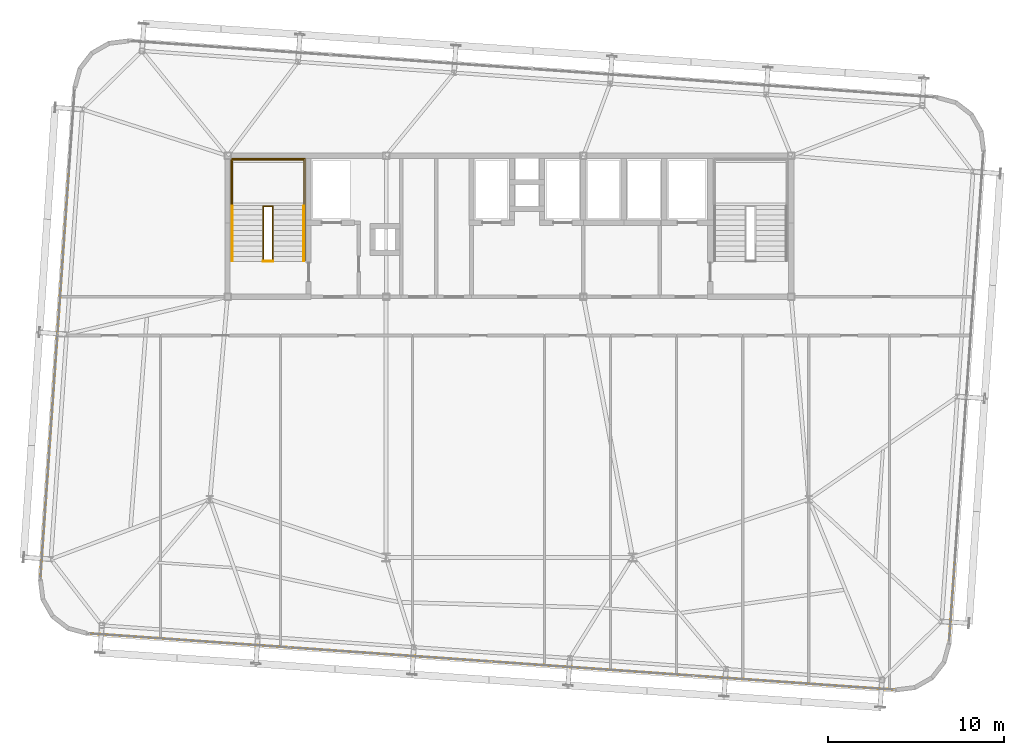
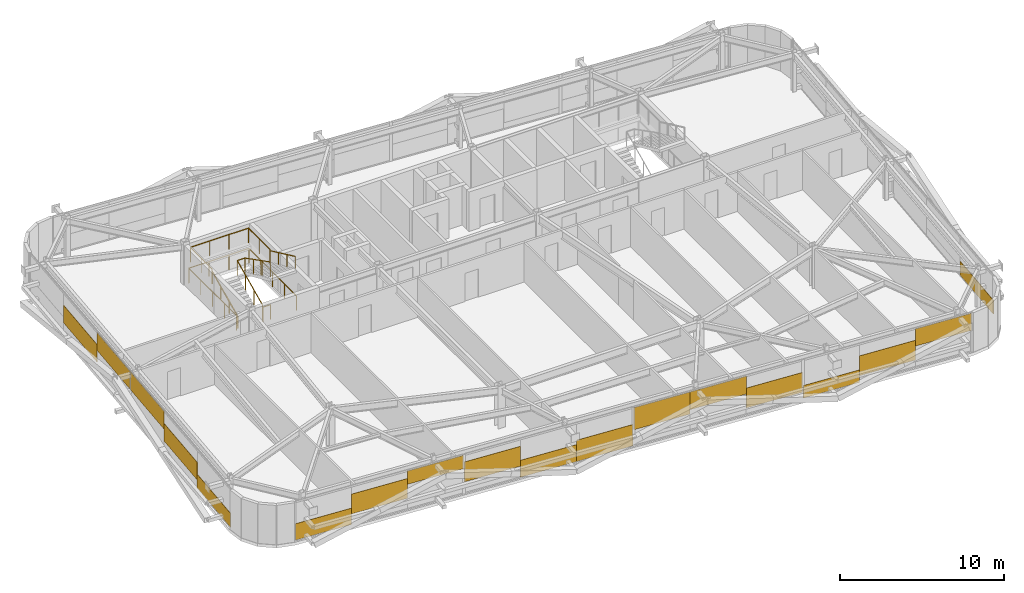
# One storey, part 38 of 39: 18 coverings, 6 railings.
"""IFC4 building model written with IfcOpenShell, lengths in metres."""

from ifc_helpers import new_model, si_unit, direction, frame, origin, origin_2d, place, context, subcontext, project, spatial, rectangle, extrude, source, transform, mapped, material, layer, layer_set, type_object, element, save


model = new_model("IFC4")

# Units and contexts
model_context = context("Model", 3, precision=1e-05, world=origin(), true_north=direction((0.0, 1.0)))
body_context = subcontext(model_context, "Body", "Model", "MODEL_VIEW")
ifc_project = project(units=[si_unit("LENGTHUNIT", "METRE"), si_unit("AREAUNIT", "SQUARE_METRE"), si_unit("VOLUMEUNIT", "CUBIC_METRE"), si_unit("PLANEANGLEUNIT", "RADIAN"), si_unit("MASSUNIT", "GRAM", prefix="KILO")], contexts=[model_context])

# Site, building, storey
site_placement = place(None, origin())
site = spatial("IfcSite", under=ifc_project, at=site_placement, CompositionType="ELEMENT")
building_placement = place(site_placement, origin())
building = spatial("IfcBuilding", under=site, at=building_placement, Name="Taldren Reach Tower", CompositionType="ELEMENT")
storey_placement = place(building_placement, frame((0.0, 0.0, 133.0)))
storey = spatial("IfcBuildingStorey", under=building, at=storey_placement, Name="L40", CompositionType="ELEMENT", Elevation=133.0)

# Railings
ifc_material_1 = material(Name="Steel Gr 350 (C350L0)", Category="steel")
ifc_layer_1 = layer(ifc_material_1, 0.050048828125)
ifc_layer_set_1 = layer_set([ifc_layer_1], Name="Steel Gr 350 (C350L0)")
railing_type_1 = type_object("IfcRailingType", Name="RL-STAIR-GR", PredefinedType="GUARDRAIL", material=ifc_layer_set_1)
railing_1_placement = place(storey_placement, frame((19.260009765625, 29.135009765625, 1.574951171875)))
element("IfcRailing", 1, at=railing_1_placement, inside=storey, type_object=railing_type_1, Name="Stair half-landing perimeter guard ST1-L40", PredefinedType="GUARDRAIL", context=body_context, shape_type="SweptSolid", body=[
    extrude(rectangle(XDim=0.047852, YDim=0.047852, at=origin_2d()), frame((0.0, 0.0, 1.09619140625), z_axis=(0.0, 1.0, 0.0), x_axis=(-1.0, 0.0, 0.0)), (0.0, 0.0, 1.0), 2.64501953125),
    extrude(rectangle(XDim=0.047852, YDim=0.047852, at=origin_2d()), frame((0.0, 2.64501953125, 1.09619140625), z_axis=(1.0, 0.0, 0.0), x_axis=(0.0, 1.0, 0.0)), (0.0, 0.0, 1.0), 4.080078125),
    extrude(rectangle(XDim=0.047852, YDim=0.047852, at=origin_2d()), frame((4.080078125, 2.64501953125, 1.09619140625), z_axis=(0.0, -1.0, 0.0), x_axis=(1.0, 0.0, 0.0)), (0.0, 0.0, 1.0), 2.64501953125),
    extrude(rectangle(XDim=0.041992, YDim=0.041992, at=origin_2d()), origin(), (0.0, 0.0, 1.0), 1.072021484375),
    extrude(rectangle(XDim=0.041992, YDim=0.041992, at=origin_2d()), frame((0.0, 1.322509765625, 0.0)), (0.0, 0.0, 1.0), 1.072021484375),
    extrude(rectangle(XDim=0.041992, YDim=0.041992, at=origin_2d()), frame((0.0, 2.64501953125, 0.0)), (0.0, 0.0, 1.0), 1.072021484375),
    extrude(rectangle(XDim=0.041992, YDim=0.041992, at=origin_2d()), frame((1.360107421875, 2.64501953125, 0.0)), (0.0, 0.0, 1.0), 1.072021484375),
    extrude(rectangle(XDim=0.041992, YDim=0.041992, at=origin_2d()), frame((2.719970703125, 2.64501953125, 0.0)), (0.0, 0.0, 1.0), 1.072021484375),
    extrude(rectangle(XDim=0.041992, YDim=0.041992, at=origin_2d()), frame((4.080078125, 2.64501953125, 0.0)), (0.0, 0.0, 1.0), 1.072021484375),
    extrude(rectangle(XDim=0.041992, YDim=0.041992, at=origin_2d()), frame((4.080078125, 1.322509765625, 0.0)), (0.0, 0.0, 1.0), 1.072021484375),
    extrude(rectangle(XDim=0.041992, YDim=0.041992, at=origin_2d()), frame((4.080078125, 0.0, 0.0)), (0.0, 0.0, 1.0), 1.072021484375),
])
railing_2_placement = place(storey_placement, frame((21.030029296875, 26.050048828125, 0.131103515625)))
element("IfcRailing", 2, at=railing_2_placement, inside=storey, type_object=railing_type_1, Name="Stairwell inner guard ST1-L40", PredefinedType="GUARDRAIL", context=body_context, shape_type="SweptSolid", body=[
    extrude(rectangle(XDim=0.047852, YDim=0.047852, at=origin_2d()), frame((0.0, 0.0, 1.09619140625), z_axis=(0.0, 0.905710134349, 0.423897573167), x_axis=(-1.0, 0.0, 0.0)), (0.0, 0.0, 1.0), 3.406005859375),
    extrude(rectangle(XDim=0.047852, YDim=0.047852, at=origin_2d()), frame((0.0, 3.0849609375, 2.5400390625), z_axis=(1.0, 0.0, 0.0), x_axis=(0.0, 1.0, 0.0)), (0.0, 0.0, 1.0), 0.5400390625),
    extrude(rectangle(XDim=0.047852, YDim=0.047852, at=origin_2d()), frame((0.5400390625, 3.0849609375, 2.5400390625), z_axis=(0.0, -0.890645957773, 0.45469745755), x_axis=(1.0, 0.0, 0.0)), (0.0, 0.0, 1.0), 3.463623046875),
    extrude(rectangle(XDim=0.041992, YDim=0.041992, at=origin_2d()), origin(), (0.0, 0.0, 1.0), 1.072021484375),
    extrude(rectangle(XDim=0.041992, YDim=0.041992, at=origin_2d()), frame((0.0, 1.0283203125, 0.481201171875)), (0.0, 0.0, 1.0), 1.072021484375),
    extrude(rectangle(XDim=0.041992, YDim=0.041992, at=origin_2d()), frame((0.0, 2.056640625, 0.962646484375)), (0.0, 0.0, 1.0), 1.072021484375),
    extrude(rectangle(XDim=0.041992, YDim=0.041992, at=origin_2d()), frame((0.0, 3.0849609375, 1.44384765625)), (0.0, 0.0, 1.0), 1.072021484375),
    extrude(rectangle(XDim=0.041992, YDim=0.041992, at=origin_2d()), frame((0.5400390625, 3.0849609375, 1.44384765625)), (0.0, 0.0, 1.0), 1.072021484375),
    extrude(rectangle(XDim=0.041992, YDim=0.041992, at=origin_2d()), frame((0.5400390625, 2.056640625, 1.96875)), (0.0, 0.0, 1.0), 1.072021484375),
    extrude(rectangle(XDim=0.041992, YDim=0.041992, at=origin_2d()), frame((0.5400390625, 1.0283203125, 2.493896484375)), (0.0, 0.0, 1.0), 1.072021484375),
    extrude(rectangle(XDim=0.041992, YDim=0.041992, at=origin_2d()), frame((0.5400390625, 0.0, 3.018798828125)), (0.0, 0.0, 1.0), 1.072021484375),
])
railing_3_placement = place(storey_placement, frame((21.030029296875, 26.010009765625, 0.0)))
element("IfcRailing", 3, at=railing_3_placement, inside=storey, type_object=railing_type_1, Name="Stairwell landing slot guard ST1-L40", PredefinedType="GUARDRAIL", context=body_context, shape_type="SweptSolid", body=[
    extrude(rectangle(XDim=0.047852, YDim=0.047852, at=origin_2d()), frame((0.0, 0.0, 1.09619140625), z_axis=(1.0, 0.0, 0.0), x_axis=(0.0, 1.0, 0.0)), (0.0, 0.0, 1.0), 0.5400390625),
    extrude(rectangle(XDim=0.041992, YDim=0.041992, at=origin_2d()), origin(), (0.0, 0.0, 1.0), 1.072021484375),
    extrude(rectangle(XDim=0.041992, YDim=0.041992, at=origin_2d()), frame((0.5400390625, 0.0, 0.0)), (0.0, 0.0, 1.0), 1.072021484375),
])
railing_4_placement = place(storey_placement, frame((19.18994140625, 26.050048828125, 0.0)))
element("IfcRailing", 4, at=railing_4_placement, inside=storey, type_object=railing_type_1, Name="Stairwell floor opening guard ST1-L40", PredefinedType="GUARDRAIL", context=body_context, shape_type="SweptSolid", body=[
    extrude(rectangle(XDim=0.047852, YDim=0.047852, at=origin_2d()), frame((0.0, 0.0, 1.09619140625), z_axis=(0.0, 1.0, 0.0), x_axis=(-1.0, 0.0, 0.0)), (0.0, 0.0, 1.0), 5.800048828125),
    extrude(rectangle(XDim=0.047852, YDim=0.047852, at=origin_2d()), frame((0.0, 5.800048828125, 1.09619140625), z_axis=(1.0, 0.0, 0.0), x_axis=(0.0, 1.0, 0.0)), (0.0, 0.0, 1.0), 4.219970703125),
    extrude(rectangle(XDim=0.047852, YDim=0.047852, at=origin_2d()), frame((4.219970703125, 5.800048828125, 1.09619140625), z_axis=(0.0, -1.0, 0.0), x_axis=(1.0, 0.0, 0.0)), (0.0, 0.0, 1.0), 5.800048828125),
    extrude(rectangle(XDim=0.041992, YDim=0.041992, at=origin_2d()), origin(), (0.0, 0.0, 1.0), 1.072021484375),
    extrude(rectangle(XDim=0.041992, YDim=0.041992, at=origin_2d()), frame((0.0, 1.449951171875, 0.0)), (0.0, 0.0, 1.0), 1.072021484375),
    extrude(rectangle(XDim=0.041992, YDim=0.041992, at=origin_2d()), frame((0.0, 2.89990234375, 0.0)), (0.0, 0.0, 1.0), 1.072021484375),
    extrude(rectangle(XDim=0.041992, YDim=0.041992, at=origin_2d()), frame((0.0, 4.35009765625, 0.0)), (0.0, 0.0, 1.0), 1.072021484375),
    extrude(rectangle(XDim=0.041992, YDim=0.041992, at=origin_2d()), frame((0.0, 5.800048828125, 0.0)), (0.0, 0.0, 1.0), 1.072021484375),
    extrude(rectangle(XDim=0.041992, YDim=0.041992, at=origin_2d()), frame((1.40673828125, 5.800048828125, 0.0)), (0.0, 0.0, 1.0), 1.072021484375),
    extrude(rectangle(XDim=0.041992, YDim=0.041992, at=origin_2d()), frame((2.813232421875, 5.800048828125, 0.0)), (0.0, 0.0, 1.0), 1.072021484375),
    extrude(rectangle(XDim=0.041992, YDim=0.041992, at=origin_2d()), frame((4.219970703125, 5.800048828125, 0.0)), (0.0, 0.0, 1.0), 1.072021484375),
    extrude(rectangle(XDim=0.041992, YDim=0.041992, at=origin_2d()), frame((4.219970703125, 4.35009765625, 0.0)), (0.0, 0.0, 1.0), 1.072021484375),
    extrude(rectangle(XDim=0.041992, YDim=0.041992, at=origin_2d()), frame((4.219970703125, 2.89990234375, 0.0)), (0.0, 0.0, 1.0), 1.072021484375),
    extrude(rectangle(XDim=0.041992, YDim=0.041992, at=origin_2d()), frame((4.219970703125, 1.449951171875, 0.0)), (0.0, 0.0, 1.0), 1.072021484375),
    extrude(rectangle(XDim=0.041992, YDim=0.041992, at=origin_2d()), frame((4.219970703125, 0.0, 0.0)), (0.0, 0.0, 1.0), 1.072021484375),
])
ifc_material_2 = material(Name="Stainless Steel Gr 316", Category="steel")
ifc_layer_2 = layer(ifc_material_2, 0.048095703125)
ifc_layer_set_2 = layer_set([ifc_layer_2], Name="Stainless Steel Gr 316")
railing_type_2 = type_object("IfcRailingType", Name="RL-STAIR-HR", PredefinedType="HANDRAIL", material=ifc_layer_set_2)
railing_5_placement = place(storey_placement, frame((19.27001953125, 26.050048828125, 0.131103515625)))
element("IfcRailing", 5, at=railing_5_placement, inside=storey, type_object=railing_type_2, Name="Stair flight handrail ST1-L40-1", PredefinedType="HANDRAIL", context=body_context, shape_type="SweptSolid", body=[
    extrude(rectangle(XDim=0.047852, YDim=0.047852, at=origin_2d()), frame((0.0, 0.0, 0.89599609375), z_axis=(0.0, 0.905710134349, 0.423897573167), x_axis=(-1.0, 0.0, 0.0)), (0.0, 0.0, 1.0), 3.406005859375),
    extrude(rectangle(XDim=0.041992, YDim=0.041992, at=origin_2d()), origin(), (0.0, 0.0, 1.0), 0.871826171875),
    extrude(rectangle(XDim=0.041992, YDim=0.041992, at=origin_2d()), frame((0.0, 1.0283203125, 0.481201171875)), (0.0, 0.0, 1.0), 0.871826171875),
    extrude(rectangle(XDim=0.041992, YDim=0.041992, at=origin_2d()), frame((0.0, 2.056640625, 0.962646484375)), (0.0, 0.0, 1.0), 0.871826171875),
    extrude(rectangle(XDim=0.041992, YDim=0.041992, at=origin_2d()), frame((0.0, 3.0849609375, 1.44384765625)), (0.0, 0.0, 1.0), 0.871826171875),
])
railing_6_placement = place(storey_placement, frame((23.330078125, 29.135009765625, 1.706298828125)))
element("IfcRailing", 6, at=railing_6_placement, inside=storey, type_object=railing_type_2, Name="Stair flight handrail ST1-L40-2", PredefinedType="HANDRAIL", context=body_context, shape_type="SweptSolid", body=[
    extrude(rectangle(XDim=0.047852, YDim=0.047852, at=origin_2d()), frame((0.0, 0.0, 0.89599609375), z_axis=(0.0, -0.905737652094, 0.423838773095), x_axis=(1.0, 0.0, 0.0)), (0.0, 0.0, 1.0), 3.406005859375),
    extrude(rectangle(XDim=0.041992, YDim=0.041992, at=origin_2d()), origin(), (0.0, 0.0, 1.0), 0.871826171875),
    extrude(rectangle(XDim=0.041992, YDim=0.041992, at=origin_2d()), frame((0.0, -1.0283203125, 0.481201171875)), (0.0, 0.0, 1.0), 0.871826171875),
    extrude(rectangle(XDim=0.041992, YDim=0.041992, at=origin_2d()), frame((0.0, -2.056640625, 0.96240234375)), (0.0, 0.0, 1.0), 0.871826171875),
    extrude(rectangle(XDim=0.041992, YDim=0.041992, at=origin_2d()), frame((0.0, -3.0849609375, 1.443603515625)), (0.0, 0.0, 1.0), 0.871826171875),
])

# Coverings
ifc_material_3 = material(Name="Pale Champagne Fluoropolymer Aluminium Spandrel Cladding", Category="aluminium")
ifc_layer_3 = layer(ifc_material_3, 0.0439453125)
ifc_layer_set_3 = layer_set([ifc_layer_3], Name="Pale Champagne Fluoropolymer Aluminium Spandrel Cladding")
covering_type = type_object("IfcCoveringType", Name="CV-CLAD-044", PredefinedType="CLADDING", material=ifc_layer_set_3)
shared_shape_1 = source(origin(), body_context, "Body", "SweptSolid", [
    extrude(rectangle(XDim=3.79833984375, YDim=0.0439453125, at=origin_2d()), origin(), (0.0, 0.0, 1.0), 1.22216796875),
])
covering_1_placement = place(storey_placement, frame((12.994384765625, 4.748046875, 0.054931640625), z_axis=(0.0, 0.0, 1.0), x_axis=(0.99756404731, -0.06975651593, 0.0)))
element("IfcCovering", 7, at=covering_1_placement, inside=storey, type_object=covering_type, Name="Diagrid closure cladding strip CW-4 panel 1.1 1", PredefinedType="CLADDING", context=body_context, shape_type="MappedRepresentation", body=[
    mapped(shared_shape_1, transform((0.0, 0.0, 0.0), scale=1.0)),
])
shared_shape_2 = source(origin(), body_context, "Body", "SweptSolid", [
    extrude(rectangle(XDim=3.79833984375, YDim=0.0439453125, at=origin_2d()), origin(), (0.0, 0.0, 1.0), 1.474365234375),
])
for number, where, z_axis, x_axis, name in (
    (8, (16.783447265625, 4.483154296875, 0.84228515625), (0.0, 0.0, 1.0), (0.99756404731, -0.06975651593, 0.0), "Diagrid closure cladding strip CW-4 panel 1.1 2"),
    (9, (51.16455078125, 2.0791015625, 0.5537109375), (0.0, 0.0, 1.0), (0.99756404731, -0.06975651593, 0.0), "Diagrid closure cladding strip CW-4 panel 4.1 2"),
):
    element("IfcCovering", number, at=place(storey_placement, frame(where, z_axis=z_axis, x_axis=x_axis)), inside=storey, type_object=covering_type, Name=name, PredefinedType="CLADDING", context=body_context, shape_type="MappedRepresentation", body=[
        mapped(shared_shape_2, transform((0.0, 0.0, 0.0), scale=1.0)),
    ])
shared_shape_3 = source(origin(), body_context, "Body", "SweptSolid", [
    extrude(rectangle(XDim=3.79833984375, YDim=0.0439453125, at=origin_2d()), origin(), (0.0, 0.0, 1.0), 0.993408203125),
])
covering_2_placement = place(storey_placement, frame((20.572509765625, 4.21826171875, 1.88134765625), z_axis=(0.0, 0.0, 1.0), x_axis=(0.99756404731, -0.06975651593, 0.0)))
element("IfcCovering", 10, at=covering_2_placement, inside=storey, type_object=covering_type, Name="Diagrid closure cladding strip CW-4 panel 1.1 3", PredefinedType="CLADDING", context=body_context, shape_type="MappedRepresentation", body=[
    mapped(shared_shape_3, transform((0.0, 0.0, 0.0), scale=1.0)),
])
shared_shape_4 = source(origin(), body_context, "Body", "SweptSolid", [
    extrude(rectangle(XDim=3.81005859375, YDim=0.0439453125, at=origin_2d()), origin(), (0.0, 0.0, 1.0), 1.477783203125),
])
for number, where, z_axis, x_axis, name in (
    (11, (24.437255859375, 3.947998046875, 0.88232421875), (0.0, 0.0, 1.0), (0.99756404731, -0.06975651593, 0.0), "Diagrid closure cladding strip CW-4 panel 2.1 1"),
    (12, (43.510498046875, 2.6142578125, 0.51025390625), (0.0, 0.0, 1.0), (0.99756404731, -0.06975651593, 0.0), "Diagrid closure cladding strip CW-4 panel 3.1 3"),
):
    element("IfcCovering", number, at=place(storey_placement, frame(where, z_axis=z_axis, x_axis=x_axis)), inside=storey, type_object=covering_type, Name=name, PredefinedType="CLADDING", context=body_context, shape_type="MappedRepresentation", body=[
        mapped(shared_shape_4, transform((0.0, 0.0, 0.0), scale=1.0)),
    ])
shared_shape_5 = source(origin(), body_context, "Body", "SweptSolid", [
    extrude(rectangle(XDim=3.81005859375, YDim=0.0439453125, at=origin_2d()), origin(), (0.0, 0.0, 1.0), 1.26220703125),
])
covering_3_placement = place(storey_placement, frame((28.23779296875, 3.68212890625, 0.05517578125), z_axis=(0.0, 0.0, 1.0), x_axis=(0.99756404731, -0.06975651593, 0.0)))
element("IfcCovering", 13, at=covering_3_placement, inside=storey, type_object=covering_type, Name="Diagrid closure cladding strip CW-4 panel 2.1 2", PredefinedType="CLADDING", context=body_context, shape_type="MappedRepresentation", body=[
    mapped(shared_shape_5, transform((0.0, 0.0, 0.0), scale=1.0)),
])
shared_shape_6 = source(origin(), body_context, "Body", "SweptSolid", [
    extrude(rectangle(XDim=3.81005859375, YDim=0.0439453125, at=origin_2d()), origin(), (0.0, 0.0, 1.0), 1.587890625),
])
covering_4_placement = place(storey_placement, frame((32.03857421875, 3.41650390625, 0.054931640625), z_axis=(0.0, 0.0, 1.0), x_axis=(0.99756404731, -0.06975651593, 0.0)))
element("IfcCovering", 14, at=covering_4_placement, inside=storey, type_object=covering_type, Name="Diagrid closure cladding strip CW-4 panel 2.1 3", PredefinedType="CLADDING", context=body_context, shape_type="MappedRepresentation", body=[
    mapped(shared_shape_6, transform((0.0, 0.0, 0.0), scale=1.0)),
])
shared_shape_7 = source(origin(), body_context, "Body", "SweptSolid", [
    extrude(rectangle(XDim=3.81005859375, YDim=0.0439453125, at=origin_2d()), origin(), (0.0, 0.0, 1.0), 1.64794921875),
])
covering_5_placement = place(storey_placement, frame((35.9091796875, 3.145751953125, 1.22705078125), z_axis=(0.0, 0.0, 1.0), x_axis=(0.99756404731, -0.06975651593, 0.0)))
element("IfcCovering", 15, at=covering_5_placement, inside=storey, type_object=covering_type, Name="Diagrid closure cladding strip CW-4 panel 3.1 1", PredefinedType="CLADDING", context=body_context, shape_type="MappedRepresentation", body=[
    mapped(shared_shape_7, transform((0.0, 0.0, 0.0), scale=1.0)),
])
shared_shape_8 = source(origin(), body_context, "Body", "SweptSolid", [
    extrude(rectangle(XDim=3.81005859375, YDim=0.0439453125, at=origin_2d()), origin(), (0.0, 0.0, 1.0), 1.322265625),
])
covering_6_placement = place(storey_placement, frame((39.7099609375, 2.8798828125, 1.552734375), z_axis=(0.0, 0.0, 1.0), x_axis=(0.99756404731, -0.06975651593, 0.0)))
element("IfcCovering", 16, at=covering_6_placement, inside=storey, type_object=covering_type, Name="Diagrid closure cladding strip CW-4 panel 3.1 2", PredefinedType="CLADDING", context=body_context, shape_type="MappedRepresentation", body=[
    mapped(shared_shape_8, transform((0.0, 0.0, 0.0), scale=1.0)),
])
shared_shape_9 = source(origin(), body_context, "Body", "SweptSolid", [
    extrude(rectangle(XDim=3.79833984375, YDim=0.0439453125, at=origin_2d()), origin(), (0.0, 0.0, 1.0), 0.93359375),
])
covering_7_placement = place(storey_placement, frame((47.375244140625, 2.343994140625, 0.054931640625), z_axis=(0.0, 0.0, 1.0), x_axis=(0.99756404731, -0.06975651593, 0.0)))
element("IfcCovering", 17, at=covering_7_placement, inside=storey, type_object=covering_type, Name="Diagrid closure cladding strip CW-4 panel 4.1 1", PredefinedType="CLADDING", context=body_context, shape_type="MappedRepresentation", body=[
    mapped(shared_shape_9, transform((0.0, 0.0, 0.0), scale=1.0)),
])
shared_shape_10 = source(origin(), body_context, "Body", "SweptSolid", [
    extrude(rectangle(XDim=3.79833984375, YDim=0.0439453125, at=origin_2d()), origin(), (0.0, 0.0, 1.0), 1.2822265625),
])
covering_8_placement = place(storey_placement, frame((54.95361328125, 1.81396484375, 1.5927734375), z_axis=(0.0, 0.0, 1.0), x_axis=(0.99756404731, -0.06975651593, 0.0)))
element("IfcCovering", 18, at=covering_8_placement, inside=storey, type_object=covering_type, Name="Diagrid closure cladding strip CW-4 panel 4.1 3", PredefinedType="CLADDING", context=body_context, shape_type="MappedRepresentation", body=[
    mapped(shared_shape_10, transform((0.0, 0.0, 0.0), scale=1.0)),
])
shared_shape_11 = source(origin(), body_context, "Body", "SweptSolid", [
    extrude(rectangle(XDim=4.631591796875, YDim=0.0439453125, at=origin_2d()), origin(), (0.0, 0.0, 1.0), 1.04345703125),
])
for number, where, z_axis, x_axis, name in (
    (19, (8.542724609375, 10.318115234375, 0.054931640625), (0.0, 0.0, 1.0), (-0.069756437251, -0.997564052812, 0.0), "Diagrid closure cladding strip CW-4 panel 2.1 3"),
    (20, (60.136962890625, 6.710205078125, 0.054931640625), (0.0, 0.0, 1.0), (0.069756437251, 0.997564052812, 0.0), "Diagrid closure cladding strip CW-4 panel 1.1 1"),
):
    element("IfcCovering", number, at=place(storey_placement, frame(where, z_axis=z_axis, x_axis=x_axis)), inside=storey, type_object=covering_type, Name=name, PredefinedType="CLADDING", context=body_context, shape_type="MappedRepresentation", body=[
        mapped(shared_shape_11, transform((0.0, 0.0, 0.0), scale=1.0)),
    ])
shared_shape_12 = source(origin(), body_context, "Body", "SweptSolid", [
    extrude(rectangle(XDim=4.631591796875, YDim=0.0439453125, at=origin_2d()), origin(), (0.0, 0.0, 1.0), 1.306640625),
])
for number, where, z_axis, x_axis, name in (
    (21, (9.840087890625, 28.869384765625, 0.671142578125), (0.0, 0.0, 1.0), (-0.069756437251, -0.997564052812, 0.0), "Diagrid closure cladding strip CW-4 panel 1.1 2"),
    (22, (8.865966796875, 14.9384765625, 0.671142578125), (0.0, 0.0, 1.0), (-0.069756437251, -0.997564052812, 0.0), "Diagrid closure cladding strip CW-4 panel 2.1 2"),
):
    element("IfcCovering", number, at=place(storey_placement, frame(where, z_axis=z_axis, x_axis=x_axis)), inside=storey, type_object=covering_type, Name=name, PredefinedType="CLADDING", context=body_context, shape_type="MappedRepresentation", body=[
        mapped(shared_shape_12, transform((0.0, 0.0, 0.0), scale=1.0)),
    ])
shared_shape_13 = source(origin(), body_context, "Body", "SweptSolid", [
    extrude(rectangle(XDim=4.631591796875, YDim=0.0439453125, at=origin_2d()), origin(), (0.0, 0.0, 1.0), 1.32470703125),
])
for number, where, z_axis, x_axis, name in (
    (23, (9.51708984375, 24.2490234375, 1.55029296875), (0.0, 0.0, 1.0), (-0.069756437251, -0.997564052812, 0.0), "Diagrid closure cladding strip CW-4 panel 1.1 3"),
    (24, (9.18896484375, 19.558837890625, 1.55029296875), (0.0, 0.0, 1.0), (-0.069756437251, -0.997564052812, 0.0), "Diagrid closure cladding strip CW-4 panel 2.1 1"),
):
    element("IfcCovering", number, at=place(storey_placement, frame(where, z_axis=z_axis, x_axis=x_axis)), inside=storey, type_object=covering_type, Name=name, PredefinedType="CLADDING", context=body_context, shape_type="MappedRepresentation", body=[
        mapped(shared_shape_13, transform((0.0, 0.0, 0.0), scale=1.0)),
    ])

save(model, "model.ifc")
